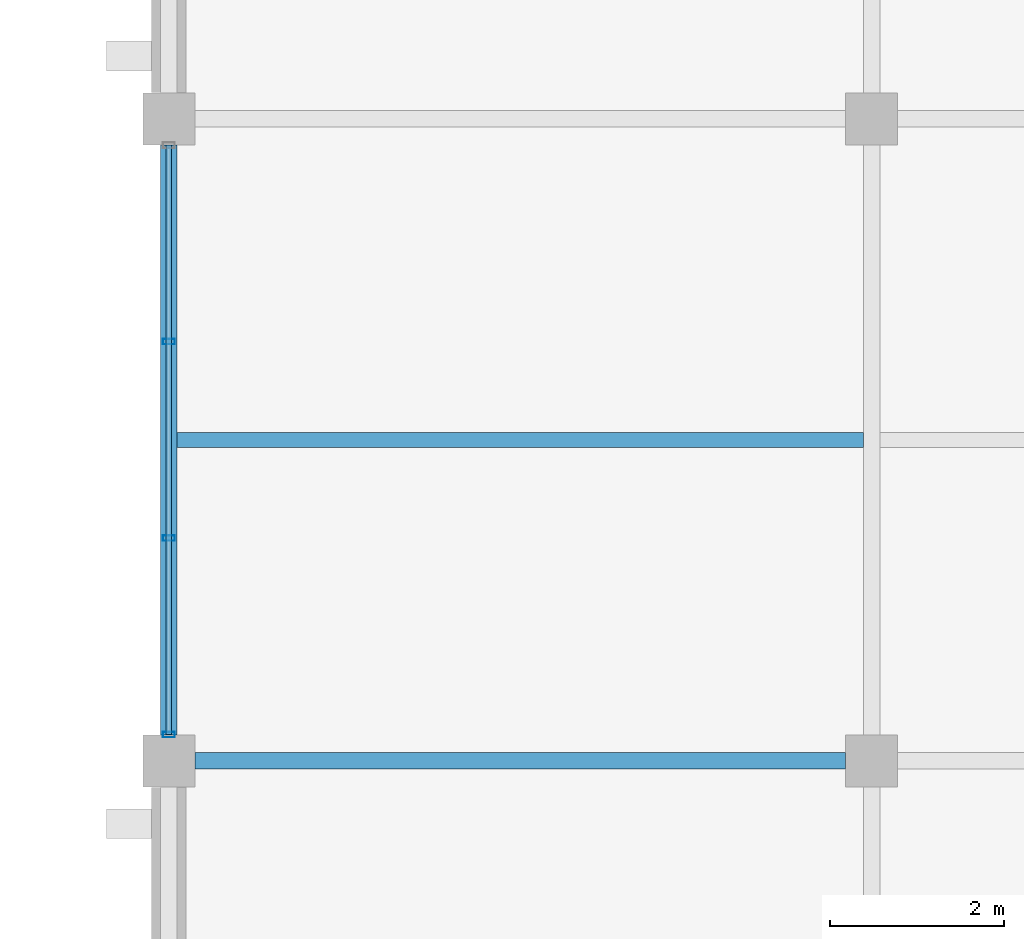
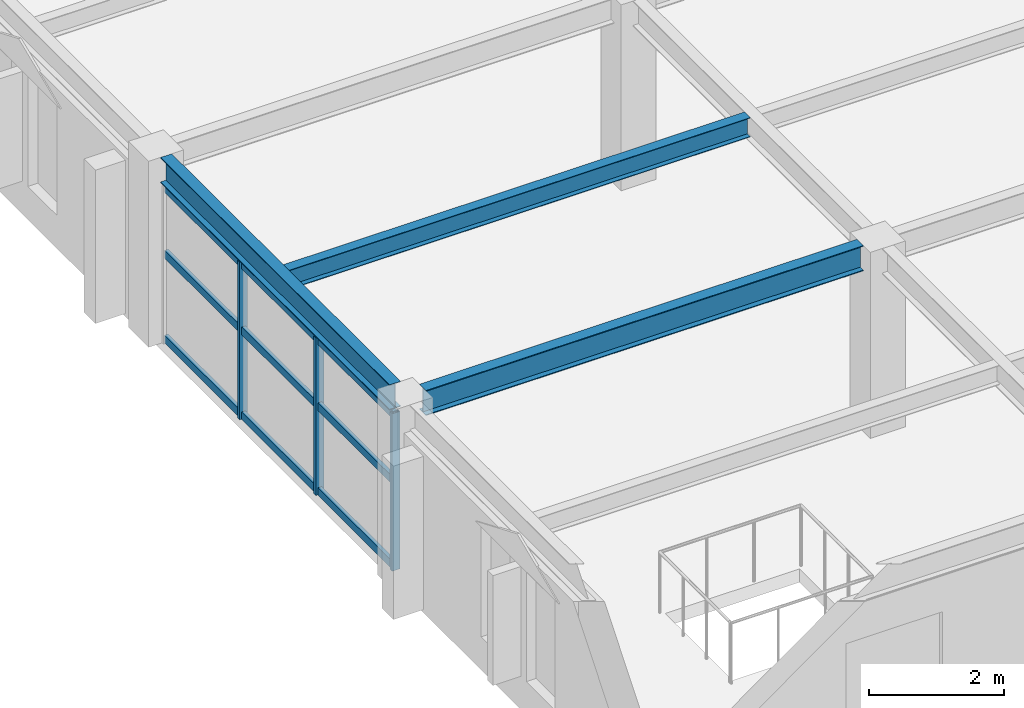
# One storey, part 46 of 121: 6 members, 3 beams, 1 element without a shape of its own.
"""IFC4 building model written with IfcOpenShell, lengths in metres."""

from ifc_helpers import new_model, si_unit, direction, frame, origin, origin_2d, place, context, subcontext, project, spatial, hollow_rectangle, i_section, extrude, material, material_profile, profile_set, type_object, element, aggregate, save


model = new_model("IFC4")

# Units and contexts
model_context = context("Model", 3, precision=1e-05, world=origin(), true_north=direction((0.0, 1.0)))
body_context = subcontext(model_context, "Body", "Model", "MODEL_VIEW")
ifc_project = project(units=[si_unit("LENGTHUNIT", "METRE"), si_unit("AREAUNIT", "SQUARE_METRE"), si_unit("VOLUMEUNIT", "CUBIC_METRE"), si_unit("PLANEANGLEUNIT", "RADIAN"), si_unit("MASSUNIT", "GRAM", prefix="KILO")], contexts=[model_context])

# Site, building, storey
site_placement = place(None, origin())
site = spatial("IfcSite", under=ifc_project, at=site_placement, CompositionType="ELEMENT")
building_placement = place(site_placement, origin())
building = spatial("IfcBuilding", under=site, at=building_placement, Name="Cimatlan Art Gallery", CompositionType="ELEMENT")
storey_placement = place(building_placement, frame((0.0, 0.0, 10.199951171875)))
storey = spatial("IfcBuildingStorey", under=building, at=storey_placement, Name="L02", CompositionType="ELEMENT", Elevation=10.199951171875)

# Beams
ifc_material_1 = material(Name="Steel ASTM A992 Grade 50", Category="steel")
ifc_material_profile_1 = material_profile(ifc_material_1, i_section(OverallWidth=0.1708984375, OverallDepth=0.35107421875, WebThickness=0.0068359375, FlangeThickness=0.009765625, at=origin_2d()), Name="W14X30")
ifc_profile_set_1 = profile_set([ifc_material_profile_1], Name="Steel ASTM A992 Grade 50")
beam_type_1 = type_object("IfcBeamType", Name="BM-STL-W14X30", PredefinedType="JOIST", material=ifc_profile_set_1)
beam_1_placement = place(storey_placement, frame((34.49560546875, 72.0, 3.194580078125), z_axis=(1.0, 0.0, 0.0), x_axis=(0.0, 1.0, 0.0)))
element("IfcBeam", 1, at=beam_1_placement, inside=storey, type_object=beam_type_1, Name="JST-L02-04-09", PredefinedType="JOIST", context=body_context, shape_type="SweptSolid", body=[
    extrude(i_section(OverallWidth=0.1708984375, OverallDepth=0.35107421875, WebThickness=0.0068359375, FlangeThickness=0.009765625, at=origin_2d()), origin(), (0.0, 0.0, 1.0), 7.908935546875),
])
ifc_material_profile_2 = material_profile(ifc_material_1, i_section(OverallWidth=0.19091796875, OverallDepth=0.45703125, WebThickness=0.009033203125, FlangeThickness=0.014404296875, at=origin_2d()), Name="W18X50")
ifc_profile_set_2 = profile_set([ifc_material_profile_2], Name="Steel ASTM A992 Grade 50")
beam_type_2 = type_object("IfcBeamType", Name="BM-STL-W18X50", PredefinedType="BEAM", material=ifc_profile_set_2)
beam_2_placement = place(storey_placement, frame((34.39990234375, 68.60009765625, 3.1416015625), z_axis=(0.0, 1.0, 0.0), x_axis=(-1.0, 0.0, 0.0)))
element("IfcBeam", 2, at=beam_2_placement, inside=storey, type_object=beam_type_2, Name="BM-Y-L02-04-09", PredefinedType="BEAM", context=body_context, shape_type="SweptSolid", body=[
    extrude(i_section(OverallWidth=0.19091796875, OverallDepth=0.45703125, WebThickness=0.009033203125, FlangeThickness=0.014404296875, at=origin_2d()), origin(), (0.0, 0.0, 1.0), 6.7998046875),
])
beam_3_placement = place(storey_placement, frame((34.699951171875, 68.300048828125, 3.1416015625), z_axis=(1.0, 0.0, 0.0), x_axis=(0.0, 1.0, 0.0)))
element("IfcBeam", 3, at=beam_3_placement, inside=storey, type_object=beam_type_2, Name="BM-X-L02-04-09", PredefinedType="BEAM", context=body_context, shape_type="SweptSolid", body=[
    extrude(i_section(OverallWidth=0.19091796875, OverallDepth=0.45703125, WebThickness=0.009033203125, FlangeThickness=0.014404296875, at=origin_2d()), origin(), (0.0, 0.0, 1.0), 7.5),
])

# Curtain wall, members
ifc_material_2 = material(Name="Anodised bronze unitised curtain wall")
curtain_wall_type = type_object("IfcCurtainWallType", Name="CW-V-06792X02853-B3", PredefinedType="NOTDEFINED", material=ifc_material_2)
curtain_wall_placement = place(storey_placement, origin())
curtain_wall = element("IfcCurtainWall", 4, at=curtain_wall_placement, inside=storey, type_object=curtain_wall_type, Name="CW-L02-04-09-W", PredefinedType="NOTDEFINED")
ifc_material_3 = material(Name="Anodised bronze aluminium 6063-T6", Category="aluminium")
ifc_material_profile_3 = material_profile(ifc_material_3, hollow_rectangle(XDim=0.06494140625, YDim=0.139892578125, WallThickness=0.00390625, at=origin_2d()), Name="ALU65X140X4")
ifc_profile_set_3 = profile_set([ifc_material_profile_3], Name="Anodised bronze aluminium 6063-T6")
member_type_1 = type_object("IfcMemberType", Name="CW-MUL-140", PredefinedType="MULLION", material=ifc_profile_set_3)
member_1_placement = place(storey_placement, frame((34.39990234375, 68.60400390625, 0.0), z_axis=(0.0, 0.0, 1.0), x_axis=(0.0, 1.0, 0.0)))
member_1 = element("IfcMember", 5, at=member_1_placement, type_object=member_type_1, Name="CW-L02-04-09-W-M1", PredefinedType="MULLION", context=body_context, shape_type="SweptSolid", body=[
    extrude(hollow_rectangle(XDim=0.06494140625, YDim=0.139892578125, WallThickness=0.00390625, at=origin_2d()), origin(), (0.0, 0.0, 1.0), 2.85302734375),
])
member_2_placement = place(storey_placement, frame((34.39990234375, 70.867919921875, 0.0), z_axis=(0.0, 0.0, 1.0), x_axis=(0.0, 1.0, 0.0)))
member_2 = element("IfcMember", 6, at=member_2_placement, type_object=member_type_1, Name="CW-L02-04-09-W-M2", PredefinedType="MULLION", context=body_context, shape_type="SweptSolid", body=[
    extrude(hollow_rectangle(XDim=0.06494140625, YDim=0.139892578125, WallThickness=0.00390625, at=origin_2d()), origin(), (0.0, 0.0, 1.0), 2.85302734375),
])
member_3_placement = place(storey_placement, frame((34.39990234375, 73.132080078125, 0.0), z_axis=(0.0, 0.0, 1.0), x_axis=(0.0, 1.0, 0.0)))
member_3 = element("IfcMember", 7, at=member_3_placement, type_object=member_type_1, Name="CW-L02-04-09-W-M3", PredefinedType="MULLION", context=body_context, shape_type="SweptSolid", body=[
    extrude(hollow_rectangle(XDim=0.06494140625, YDim=0.139892578125, WallThickness=0.00390625, at=origin_2d()), origin(), (0.0, 0.0, 1.0), 2.85302734375),
])
ifc_material_profile_4 = material_profile(ifc_material_3, hollow_rectangle(XDim=0.06494140625, YDim=0.139892578125, WallThickness=0.00390625, at=origin_2d()), Name="ALU65X140X4")
ifc_profile_set_4 = profile_set([ifc_material_profile_4], Name="Anodised bronze aluminium 6063-T6")
member_type_2 = type_object("IfcMemberType", Name="CW-TRN-140", PredefinedType="USERDEFINED", material=ifc_profile_set_4)
member_4_placement = place(storey_placement, frame((34.39990234375, 68.60400390625, 0.06005859375), z_axis=(0.0, 1.0, 0.0), x_axis=(-1.0, 0.0, 0.0)))
member_4 = element("IfcMember", 8, at=member_4_placement, type_object=member_type_2, Name="CW-L02-04-09-W-T1", ObjectType="TRANSOM", PredefinedType="USERDEFINED", context=body_context, shape_type="SweptSolid", body=[
    extrude(hollow_rectangle(XDim=0.06494140625, YDim=0.139892578125, WallThickness=0.00390625, at=origin_2d()), origin(), (0.0, 0.0, 1.0), 6.7919921875),
])
member_5_placement = place(storey_placement, frame((34.39990234375, 68.60400390625, 1.59765625), z_axis=(0.0, 1.0, 0.0), x_axis=(-1.0, 0.0, 0.0)))
member_5 = element("IfcMember", 9, at=member_5_placement, type_object=member_type_2, Name="CW-L02-04-09-W-T2", ObjectType="TRANSOM", PredefinedType="USERDEFINED", context=body_context, shape_type="SweptSolid", body=[
    extrude(hollow_rectangle(XDim=0.06494140625, YDim=0.139892578125, WallThickness=0.00390625, at=origin_2d()), origin(), (0.0, 0.0, 1.0), 6.7919921875),
])
member_6_placement = place(storey_placement, frame((34.39990234375, 68.60400390625, 2.79296875), z_axis=(0.0, 1.0, 0.0), x_axis=(-1.0, 0.0, 0.0)))
member_6 = element("IfcMember", 10, at=member_6_placement, type_object=member_type_2, Name="CW-L02-04-09-W-T3", ObjectType="TRANSOM", PredefinedType="USERDEFINED", context=body_context, shape_type="SweptSolid", body=[
    extrude(hollow_rectangle(XDim=0.06494140625, YDim=0.139892578125, WallThickness=0.00390625, at=origin_2d()), origin(), (0.0, 0.0, 1.0), 6.7919921875),
])
aggregate(curtain_wall, [member_1, member_2, member_3, member_4, member_5, member_6])

save(model, "model.ifc")
